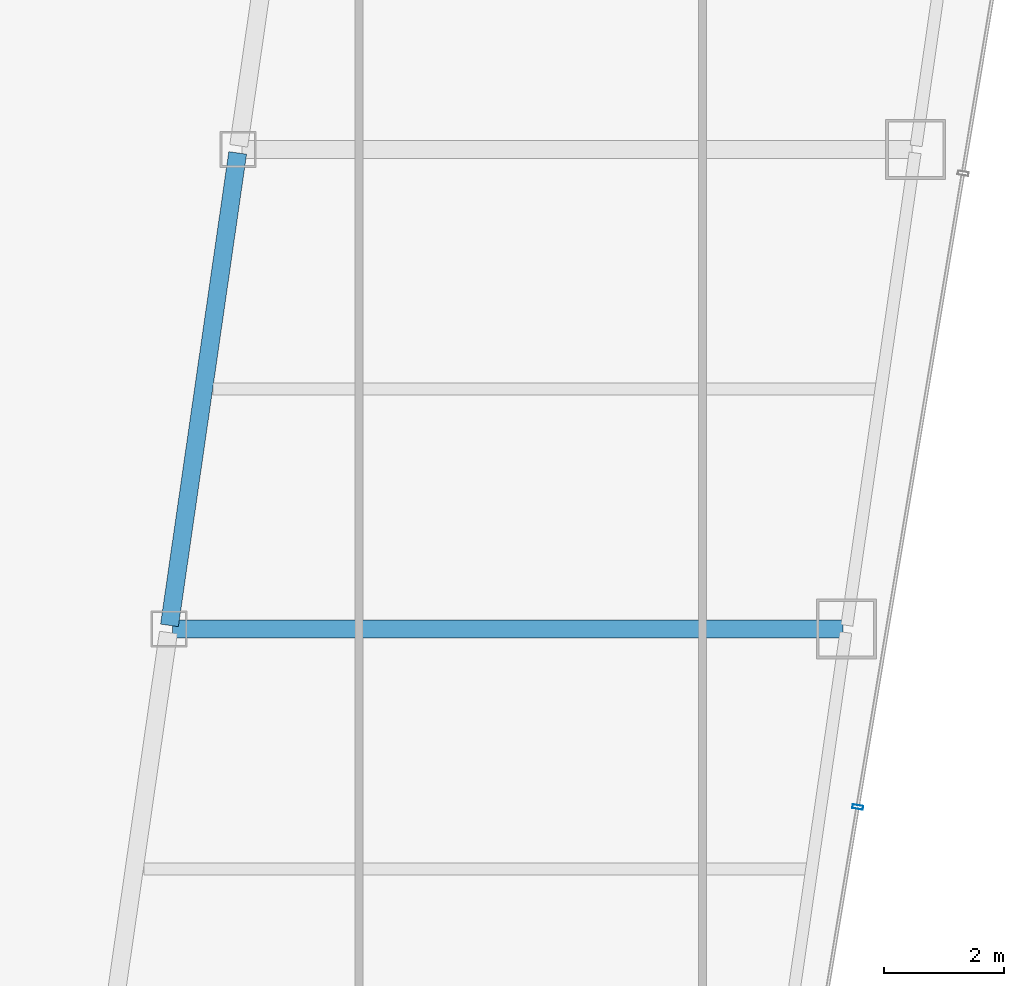
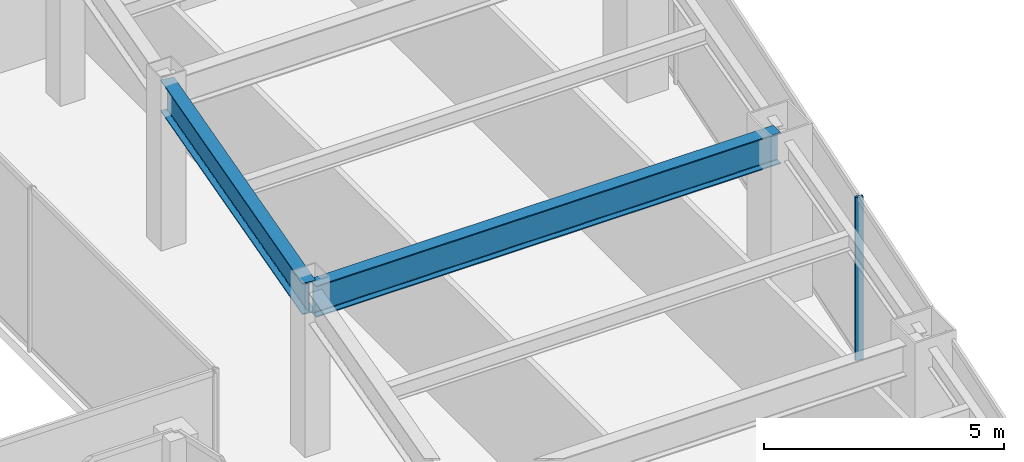
# One storey, part 17 of 37: 2 beams, 1 member, 1 element without a shape of its own.
"""IFC4 building model written with IfcOpenShell, lengths in metres."""

from ifc_helpers import new_model, si_unit, direction, frame, origin, origin_2d, place, context, subcontext, project, spatial, hollow_rectangle, i_section, extrude, material, material_profile, profile_set, type_object, element, aggregate, save


model = new_model("IFC4")

# Units and contexts
model_context = context("Model", 3, precision=1e-05, world=origin(), true_north=direction((0.0, 1.0)))
body_context = subcontext(model_context, "Body", "Model", "MODEL_VIEW")
ifc_project = project(units=[si_unit("LENGTHUNIT", "METRE"), si_unit("AREAUNIT", "SQUARE_METRE"), si_unit("VOLUMEUNIT", "CUBIC_METRE"), si_unit("PLANEANGLEUNIT", "RADIAN"), si_unit("MASSUNIT", "GRAM", prefix="KILO")], contexts=[model_context])

# Site, building, storey
site_placement = place(None, origin())
site = spatial("IfcSite", under=ifc_project, at=site_placement, CompositionType="ELEMENT")
building_placement = place(site_placement, origin())
building = spatial("IfcBuilding", under=site, at=building_placement, Name="Saevonmaru Cultural Tower", CompositionType="ELEMENT")
storey_placement = place(building_placement, frame((0.0, 0.0, 114.800048828125)))
storey = spatial("IfcBuildingStorey", under=building, at=storey_placement, Name="L24", CompositionType="ELEMENT", Elevation=114.800048828125)

# Beams
ifc_material_1 = material(Name="Steel SM420", Category="steel")
ifc_material_profile_1 = material_profile(ifc_material_1, i_section(OverallWidth=0.300048828125, OverallDepth=0.800048828125, WebThickness=0.013916015625, FlangeThickness=0.02587890625, FilletRadius=0.028076171875, at=origin_2d()), Name="H-800x300x14x26")
ifc_profile_set_1 = profile_set([ifc_material_profile_1], Name="Steel SM420")
beam_type = type_object("IfcBeamType", Name="BM-G-H800", PredefinedType="BEAM", material=ifc_profile_set_1)
beam_1_placement = place(storey_placement, frame((39.236572265625, 24.059326171875, 3.75), z_axis=(0.142902032203, 0.989736838353, 0.0), x_axis=(-0.989736838353, 0.142902032203, 0.0)))
element("IfcBeam", 1, at=beam_1_placement, inside=storey, type_object=beam_type, Name="L24 East Atrium Girder 3", PredefinedType="BEAM", context=body_context, shape_type="SweptSolid", body=[
    extrude(i_section(OverallWidth=0.300048828125, OverallDepth=0.800048828125, WebThickness=0.013916015625, FlangeThickness=0.02587890625, FilletRadius=0.028076171875, at=origin_2d()), origin(), (0.0, 0.0, 1.0), 7.963134765625),
])
beam_2_placement = place(storey_placement, frame((39.2880859375, 24.0, 3.75), z_axis=(1.0, 0.0, 0.0), x_axis=(0.0, 1.0, 0.0)))
element("IfcBeam", 2, at=beam_2_placement, inside=storey, type_object=beam_type, Name="L24 East Wing Transverse Girder 3", PredefinedType="BEAM", context=body_context, shape_type="SweptSolid", body=[
    extrude(i_section(OverallWidth=0.300048828125, OverallDepth=0.800048828125, WebThickness=0.013916015625, FlangeThickness=0.02587890625, FilletRadius=0.028076171875, at=origin_2d()), origin(), (0.0, 0.0, 1.0), 11.179931640625),
])

# Curtain wall, member
ifc_material_2 = material(Name="Satin Bronze Anodised Aluminium", Category="aluminium")
curtain_wall_type = type_object("IfcCurtainWallType", Name="CW-TYP-A", PredefinedType="NOTDEFINED", material=ifc_material_2)
curtain_wall_placement = place(storey_placement, origin())
curtain_wall = element("IfcCurtainWall", 3, at=curtain_wall_placement, inside=storey, type_object=curtain_wall_type, Name="L24 Unitised Curtain Wall E8", PredefinedType="NOTDEFINED")
ifc_material_profile_2 = material_profile(ifc_material_2, hollow_rectangle(XDim=0.06494140625, YDim=0.179931640625, WallThickness=0.00390625, at=origin_2d()), Name="ALU-MULL-180x65x4")
ifc_profile_set_2 = profile_set([ifc_material_profile_2], Name="Satin Bronze Anodised Aluminium")
member_type = type_object("IfcMemberType", Name="ML-CW-180x65", PredefinedType="MULLION", material=ifc_profile_set_2)
member_placement = place(storey_placement, frame((50.71826171875, 21.029541015625, 0.0), z_axis=(0.0, 0.0, 1.0), x_axis=(0.163998702345, 0.986460554523, 0.0)))
member = element("IfcMember", 4, at=member_placement, type_object=member_type, Name="CW-TW-L24-E8 mullion 2", PredefinedType="MULLION", context=body_context, shape_type="SweptSolid", body=[
    extrude(hollow_rectangle(XDim=0.06494140625, YDim=0.179931640625, WallThickness=0.00390625, at=origin_2d()), origin(), (0.0, 0.0, 1.0), 4.14990234375),
])
aggregate(curtain_wall, [member])

save(model, "model.ifc")
